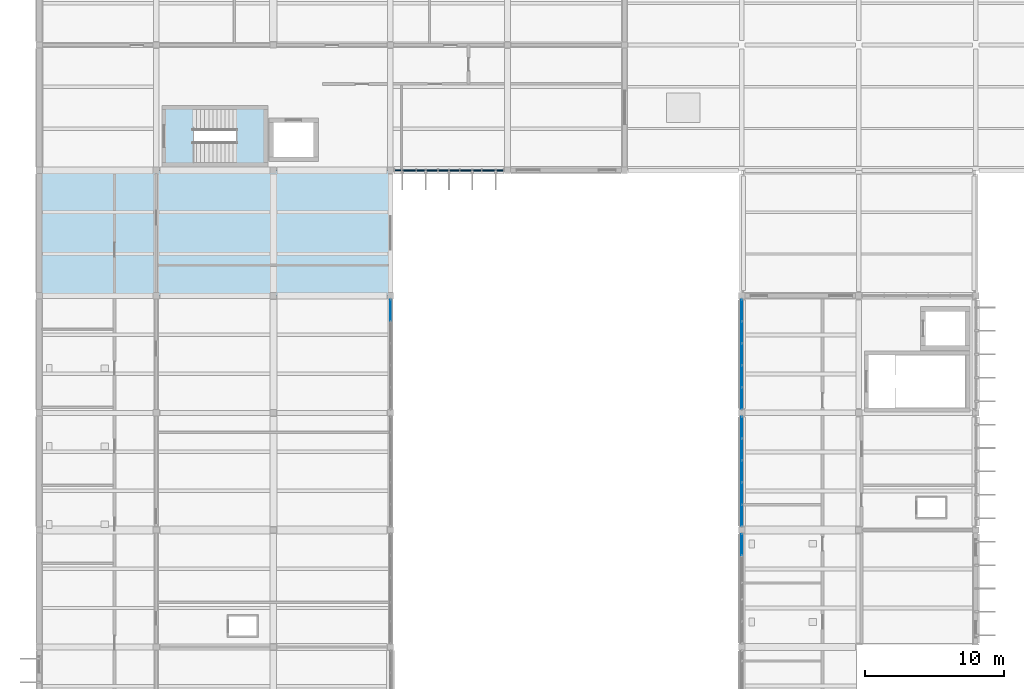
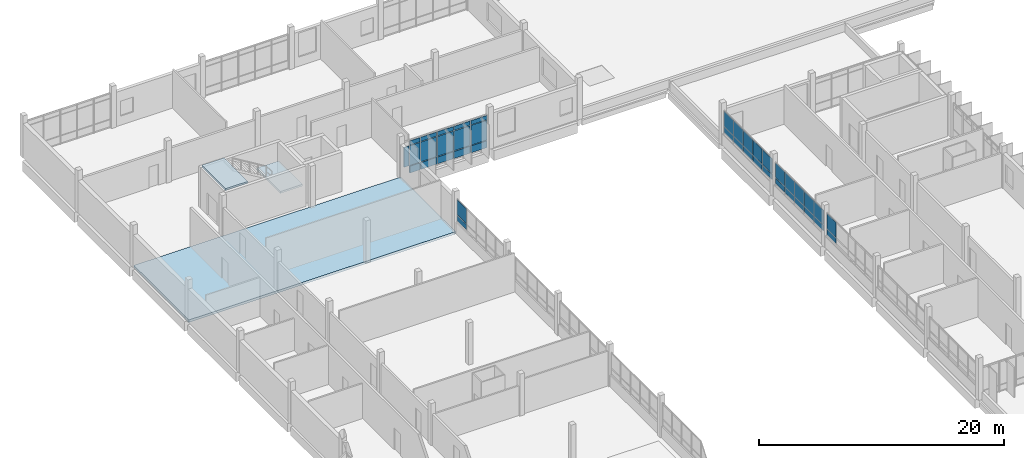
# One storey, part 46 of 62: 40 plates, 3 slabs, 6 elements without a shape of their own.
"""IFC4 building model written with IfcOpenShell, lengths in metres."""

from ifc_helpers import new_model, si_unit, direction, frame, origin, origin_2d, place, context, subcontext, project, spatial, polyline, rectangle, outline, extrude, material, layer, layer_set, type_object, element, aggregate, save


model = new_model("IFC4")

# Units and contexts
model_context = context("Model", 3, precision=1e-05, world=origin(), true_north=direction((0.0, 1.0)))
body_context = subcontext(model_context, "Body", "Model", "MODEL_VIEW")
ifc_project = project(units=[si_unit("LENGTHUNIT", "METRE"), si_unit("AREAUNIT", "SQUARE_METRE"), si_unit("VOLUMEUNIT", "CUBIC_METRE"), si_unit("PLANEANGLEUNIT", "RADIAN"), si_unit("MASSUNIT", "GRAM", prefix="KILO")], contexts=[model_context])

# Site, building, storey
site_placement = place(None, origin())
site = spatial("IfcSite", under=ifc_project, at=site_placement, CompositionType="ELEMENT")
building_placement = place(site_placement, origin())
building = spatial("IfcBuilding", under=site, at=building_placement, Name="Vireocrest Preparatory School", CompositionType="ELEMENT")
storey_placement = place(building_placement, frame((0.0, 0.0, 17.39990234375)))
storey = spatial("IfcBuildingStorey", under=building, at=storey_placement, Name="L04", CompositionType="ELEMENT", Elevation=17.39990234375)

# Curtain wall, plates
ifc_material_1 = material(Name="Thermally broken aluminium EN AW-6063-T6", Category="aluminium")
ifc_layer_1 = layer(ifc_material_1, 0.179931640625)
ifc_layer_set_1 = layer_set([ifc_layer_1], Name="Thermally broken aluminium EN AW-6063-T6")
curtain_wall_type_1 = type_object("IfcCurtainWallType", Name="Side Facade Curtain Wall 9000x4200", PredefinedType="USERDEFINED", material=ifc_layer_set_1)
curtain_wall_1_placement = place(storey_placement, origin())
curtain_wall_1 = element("IfcCurtainWall", 1, at=curtain_wall_1_placement, inside=storey, type_object=curtain_wall_type_1, Name="Curtain Wall CW07 CW_L04_CW07_0674_0948_174", ObjectType="CURTAIN WALL", PredefinedType="USERDEFINED")
ifc_material_2 = material(Name="Insulated triple low-e tempered safety glass", Category="glass")
ifc_layer_2 = layer(ifc_material_2, 0.074951171875)
ifc_layer_set_2 = layer_set([ifc_layer_2], Name="Insulated triple low-e tempered safety glass")
plate_type_1 = type_object("IfcPlateType", Name="Acoustic Triple-Glazed Lab Curtain Panel 75", PredefinedType="CURTAIN_PANEL", material=ifc_layer_set_2)
plate_1_placement = place(storey_placement, frame((67.72998046875, 94.800048828125, 0.88232421875), z_axis=(0.0, 0.0, 1.0), x_axis=(1.0, 0.0, 0.0)))
plate_1 = element("IfcPlate", 2, at=plate_1_placement, type_object=plate_type_1, Name="CW Panel GL2 CW_L04_CW07_0674_0948_174-1-2", PredefinedType="CURTAIN_PANEL", context=body_context, shape_type="SweptSolid", body=[
    extrude(rectangle(XDim=0.47509765625, YDim=0.074951171875, at=origin_2d()), origin(), (0.0, 0.0, 1.0), 1.965087890625),
])
plate_2_placement = place(storey_placement, frame((68.51806640625, 94.800048828125, 0.88232421875), z_axis=(0.0, 0.0, 1.0), x_axis=(1.0, 0.0, 0.0)))
plate_2 = element("IfcPlate", 3, at=plate_2_placement, type_object=plate_type_1, Name="CW Panel GL2 CW_L04_CW07_0674_0948_174-2-2", PredefinedType="CURTAIN_PANEL", context=body_context, shape_type="SweptSolid", body=[
    extrude(rectangle(XDim=0.970947265625, YDim=0.074951171875, at=origin_2d()), origin(), (0.0, 0.0, 1.0), 1.965087890625),
])
plate_3_placement = place(storey_placement, frame((68.51806640625, 94.800048828125, 2.91259765625), z_axis=(0.0, 0.0, 1.0), x_axis=(1.0, 0.0, 0.0)))
plate_3 = element("IfcPlate", 4, at=plate_3_placement, type_object=plate_type_1, Name="CW Panel GL2 CW_L04_CW07_0674_0948_174-2-3", PredefinedType="CURTAIN_PANEL", context=body_context, shape_type="SweptSolid", body=[
    extrude(rectangle(XDim=0.970947265625, YDim=0.074951171875, at=origin_2d()), origin(), (0.0, 0.0, 1.0), 0.409912109375),
])
plate_4_placement = place(storey_placement, frame((69.823974609375, 94.800048828125, 0.88232421875), z_axis=(0.0, 0.0, 1.0), x_axis=(1.0, 0.0, 0.0)))
plate_4 = element("IfcPlate", 5, at=plate_4_placement, type_object=plate_type_1, Name="CW Panel GL2 CW_L04_CW07_0674_0948_174-3-2", PredefinedType="CURTAIN_PANEL", context=body_context, shape_type="SweptSolid", body=[
    extrude(rectangle(XDim=1.510986328125, YDim=0.074951171875, at=origin_2d()), origin(), (0.0, 0.0, 1.0), 1.965087890625),
])
plate_5_placement = place(storey_placement, frame((69.823974609375, 94.800048828125, 2.91259765625), z_axis=(0.0, 0.0, 1.0), x_axis=(1.0, 0.0, 0.0)))
plate_5 = element("IfcPlate", 6, at=plate_5_placement, type_object=plate_type_1, Name="CW Panel GL2 CW_L04_CW07_0674_0948_174-3-3", PredefinedType="CURTAIN_PANEL", context=body_context, shape_type="SweptSolid", body=[
    extrude(rectangle(XDim=1.510986328125, YDim=0.074951171875, at=origin_2d()), origin(), (0.0, 0.0, 1.0), 0.409912109375),
])
plate_6_placement = place(storey_placement, frame((71.39990234375, 94.800048828125, 0.88232421875), z_axis=(0.0, 0.0, 1.0), x_axis=(1.0, 0.0, 0.0)))
plate_6 = element("IfcPlate", 7, at=plate_6_placement, type_object=plate_type_1, Name="CW Panel GL2 CW_L04_CW07_0674_0948_174-4-2", PredefinedType="CURTAIN_PANEL", context=body_context, shape_type="SweptSolid", body=[
    extrude(rectangle(XDim=1.510986328125, YDim=0.074951171875, at=origin_2d()), origin(), (0.0, 0.0, 1.0), 1.965087890625),
])
plate_7_placement = place(storey_placement, frame((71.39990234375, 94.800048828125, 2.91259765625), z_axis=(0.0, 0.0, 1.0), x_axis=(1.0, 0.0, 0.0)))
plate_7 = element("IfcPlate", 8, at=plate_7_placement, type_object=plate_type_1, Name="CW Panel GL2 CW_L04_CW07_0674_0948_174-4-3", PredefinedType="CURTAIN_PANEL", context=body_context, shape_type="SweptSolid", body=[
    extrude(rectangle(XDim=1.510986328125, YDim=0.074951171875, at=origin_2d()), origin(), (0.0, 0.0, 1.0), 0.409912109375),
])
plate_8_placement = place(storey_placement, frame((72.97607421875, 94.800048828125, 0.88232421875), z_axis=(0.0, 0.0, 1.0), x_axis=(1.0, 0.0, 0.0)))
plate_8 = element("IfcPlate", 9, at=plate_8_placement, type_object=plate_type_1, Name="CW Panel GL2 CW_L04_CW07_0674_0948_174-5-2", PredefinedType="CURTAIN_PANEL", context=body_context, shape_type="SweptSolid", body=[
    extrude(rectangle(XDim=1.510986328125, YDim=0.074951171875, at=origin_2d()), origin(), (0.0, 0.0, 1.0), 1.965087890625),
])
plate_9_placement = place(storey_placement, frame((72.97607421875, 94.800048828125, 2.91259765625), z_axis=(0.0, 0.0, 1.0), x_axis=(1.0, 0.0, 0.0)))
plate_9 = element("IfcPlate", 10, at=plate_9_placement, type_object=plate_type_1, Name="CW Panel GL2 CW_L04_CW07_0674_0948_174-5-3", PredefinedType="CURTAIN_PANEL", context=body_context, shape_type="SweptSolid", body=[
    extrude(rectangle(XDim=1.510986328125, YDim=0.074951171875, at=origin_2d()), origin(), (0.0, 0.0, 1.0), 0.409912109375),
])
plate_10_placement = place(storey_placement, frame((74.552001953125, 94.800048828125, 0.88232421875), z_axis=(0.0, 0.0, 1.0), x_axis=(1.0, 0.0, 0.0)))
plate_10 = element("IfcPlate", 11, at=plate_10_placement, type_object=plate_type_1, Name="CW Panel GL2 CW_L04_CW07_0674_0948_174-6-2", PredefinedType="CURTAIN_PANEL", context=body_context, shape_type="SweptSolid", body=[
    extrude(rectangle(XDim=1.510986328125, YDim=0.074951171875, at=origin_2d()), origin(), (0.0, 0.0, 1.0), 1.965087890625),
])
plate_11_placement = place(storey_placement, frame((74.552001953125, 94.800048828125, 2.91259765625), z_axis=(0.0, 0.0, 1.0), x_axis=(1.0, 0.0, 0.0)))
plate_11 = element("IfcPlate", 12, at=plate_11_placement, type_object=plate_type_1, Name="CW Panel GL2 CW_L04_CW07_0674_0948_174-6-3", PredefinedType="CURTAIN_PANEL", context=body_context, shape_type="SweptSolid", body=[
    extrude(rectangle(XDim=1.510986328125, YDim=0.074951171875, at=origin_2d()), origin(), (0.0, 0.0, 1.0), 0.409912109375),
])

# Slab
ifc_material_3 = material(Name="Concrete 40 MPa", Category="concrete")
ifc_layer_3 = layer(ifc_material_3, 0.239990234375)
ifc_layer_set_3 = layer_set([ifc_layer_3], Name="Concrete 40 MPa")
slab_type_1 = type_object("IfcSlabType", Name="Classroom Suspended RC Floor Slab 240", PredefinedType="FLOOR", material=ifc_layer_set_3)
slab_1_placement = place(storey_placement, frame((0.0, 0.0, -0.239990234375)))
element("IfcSlab", 13, at=slab_1_placement, inside=storey, type_object=slab_type_1, Name="Slab L04_WEST_NORTH_LINK", PredefinedType="FLOOR", context=body_context, shape_type="SweptSolid", body=[
    extrude(outline(polyline([(42.0, 85.800048828125), (67.199951171875, 85.800048828125), (67.199951171875, 94.800048828125), (42.0, 94.800048828125), (42.0, 85.800048828125)])), origin(), (0.0, 0.0, 1.0), 0.239990234375),
])

# Plate
ifc_material_4 = material(Name="Painted white aluminium cladding EN AW-6063-T6", Category="aluminium")
ifc_layer_4 = layer(ifc_material_4, 0.114990234375)
ifc_layer_set_4 = layer_set([ifc_layer_4], Name="Painted white aluminium cladding EN AW-6063-T6")
plate_type_2 = type_object("IfcPlateType", Name="Insulated White Spandrel Curtain Panel 115", PredefinedType="CURTAIN_PANEL", material=ifc_layer_set_4)
plate_12_placement = place(storey_placement, frame((68.51806640625, 94.800048828125, 0.127685546875), z_axis=(0.0, 0.0, 1.0), x_axis=(1.0, 0.0, 0.0)))
plate_12 = element("IfcPlate", 14, at=plate_12_placement, type_object=plate_type_2, Name="CW Panel SP2 CW_L04_CW07_0674_0948_174-2-1", PredefinedType="CURTAIN_PANEL", context=body_context, shape_type="SweptSolid", body=[
    extrude(rectangle(XDim=0.970947265625, YDim=0.114990234375, at=origin_2d()), origin(), (0.0, 0.0, 1.0), 0.68994140625),
])

plate_13_placement = place(storey_placement, frame((69.823974609375, 94.800048828125, 0.127685546875), z_axis=(0.0, 0.0, 1.0), x_axis=(1.0, 0.0, 0.0)))
plate_13 = element("IfcPlate", 15, at=plate_13_placement, type_object=plate_type_2, Name="CW Panel SP2 CW_L04_CW07_0674_0948_174-3-1", PredefinedType="CURTAIN_PANEL", context=body_context, shape_type="SweptSolid", body=[
    extrude(rectangle(XDim=1.510986328125, YDim=0.114990234375, at=origin_2d()), origin(), (0.0, 0.0, 1.0), 0.68994140625),
])

plate_14_placement = place(storey_placement, frame((71.39990234375, 94.800048828125, 0.127685546875), z_axis=(0.0, 0.0, 1.0), x_axis=(1.0, 0.0, 0.0)))
plate_14 = element("IfcPlate", 16, at=plate_14_placement, type_object=plate_type_2, Name="CW Panel SP2 CW_L04_CW07_0674_0948_174-4-1", PredefinedType="CURTAIN_PANEL", context=body_context, shape_type="SweptSolid", body=[
    extrude(rectangle(XDim=1.510986328125, YDim=0.114990234375, at=origin_2d()), origin(), (0.0, 0.0, 1.0), 0.68994140625),
])

plate_15_placement = place(storey_placement, frame((72.97607421875, 94.800048828125, 0.127685546875), z_axis=(0.0, 0.0, 1.0), x_axis=(1.0, 0.0, 0.0)))
plate_15 = element("IfcPlate", 17, at=plate_15_placement, type_object=plate_type_2, Name="CW Panel SP2 CW_L04_CW07_0674_0948_174-5-1", PredefinedType="CURTAIN_PANEL", context=body_context, shape_type="SweptSolid", body=[
    extrude(rectangle(XDim=1.510986328125, YDim=0.114990234375, at=origin_2d()), origin(), (0.0, 0.0, 1.0), 0.68994140625),
])

plate_16_placement = place(storey_placement, frame((74.552001953125, 94.800048828125, 0.127685546875), z_axis=(0.0, 0.0, 1.0), x_axis=(1.0, 0.0, 0.0)))
plate_16 = element("IfcPlate", 18, at=plate_16_placement, type_object=plate_type_2, Name="CW Panel SP2 CW_L04_CW07_0674_0948_174-6-1", PredefinedType="CURTAIN_PANEL", context=body_context, shape_type="SweptSolid", body=[
    extrude(rectangle(XDim=1.510986328125, YDim=0.114990234375, at=origin_2d()), origin(), (0.0, 0.0, 1.0), 0.68994140625),
])

aggregate(curtain_wall_1, [plate_1, plate_12, plate_2, plate_3, plate_13, plate_4, plate_5, plate_14, plate_6, plate_7, plate_15, plate_8, plate_9, plate_16, plate_10, plate_11])

# Stair, slabs
stair_type = type_object("IfcStairType", Name="Two-Run Exit Stair 4200 Rise 1500 Wide", PredefinedType="HALF_TURN_STAIR", material=ifc_material_3)
stair_placement = place(storey_placement, origin())
stair = element("IfcStair", 19, at=stair_placement, inside=storey, type_object=stair_type, Name="Two-Run Stair ST3-L04", PredefinedType="HALF_TURN_STAIR")
ifc_layer_5 = layer(ifc_material_3, 0.179931640625)
ifc_layer_set_5 = layer_set([ifc_layer_5], Name="Concrete 40 MPa")
slab_type_2 = type_object("IfcSlabType", Name="Precast Concrete Stair Landing Slab 180", PredefinedType="LANDING", material=ifc_layer_set_5)
slab_2_placement = place(storey_placement, frame((0.0, 0.0, 1.920166015625)))
slab_2 = element("IfcSlab", 20, at=slab_2_placement, type_object=slab_type_2, Name="Stair Half-Landing ST3-L04", PredefinedType="LANDING", context=body_context, shape_type="SweptSolid", body=[
    extrude(outline(polyline([(56.135009765625, 95.31005859375), (58.2451171875, 95.31005859375), (58.2451171875, 99.18994140625), (56.135009765625, 99.18994140625), (56.135009765625, 95.31005859375)])), origin(), (0.0, 0.0, 1.0), 0.179931640625),
])
slab_3_placement = place(storey_placement, frame((0.0, 0.0, 4.02001953125)))
slab_3 = element("IfcSlab", 21, at=slab_3_placement, type_object=slab_type_2, Name="Stair Arrival Landing ST3-L04", PredefinedType="LANDING", context=body_context, shape_type="SweptSolid", body=[
    extrude(outline(polyline([(50.955078125, 95.31005859375), (53.06494140625, 95.31005859375), (53.06494140625, 99.18994140625), (50.955078125, 99.18994140625), (50.955078125, 95.31005859375)])), origin(), (0.0, 0.0, 1.0), 0.18017578125),
])
aggregate(stair, [slab_2, slab_3])

# Curtain wall, plates
ifc_layer_6 = layer(ifc_material_1, 0.179931640625)
ifc_layer_set_6 = layer_set([ifc_layer_6], Name="Thermally broken aluminium EN AW-6063-T6")
curtain_wall_type_2 = type_object("IfcCurtainWallType", Name="Court Banded Curtain Wall 8400x3000", PredefinedType="USERDEFINED", material=ifc_layer_set_6)
curtain_wall_2_placement = place(storey_placement, origin())
curtain_wall_2 = element("IfcCurtainWall", 22, at=curtain_wall_2_placement, inside=storey, type_object=curtain_wall_type_2, Name="Curtain Wall CW02 CW_L04_CW02_0672_0776_186", ObjectType="CURTAIN WALL", PredefinedType="USERDEFINED")
ifc_layer_7 = layer(ifc_material_2, 0.06005859375)
ifc_layer_set_7 = layer_set([ifc_layer_7], Name="Insulated triple low-e tempered safety glass")
plate_type_3 = type_object("IfcPlateType", Name="Triple-Glazed Vision Curtain Panel 60", PredefinedType="CURTAIN_PANEL", material=ifc_layer_set_7)
plate_17_placement = place(storey_placement, frame((67.199951171875, 84.751953125, 1.277587890625), z_axis=(0.0, 0.0, 1.0), x_axis=(0.0, 1.0, 0.0)))
plate_17 = element("IfcPlate", 23, at=plate_17_placement, type_object=plate_type_3, Name="CW Panel GL1 CW_L04_CW02_0672_0776_186-5-1", PredefinedType="CURTAIN_PANEL", context=body_context, shape_type="SweptSolid", body=[
    extrude(rectangle(XDim=1.510986328125, YDim=0.06005859375, at=origin_2d()), origin(), (0.0, 0.0, 1.0), 0.5400390625),
])
plate_18_placement = place(storey_placement, frame((67.199951171875, 84.751953125, 1.8828125), z_axis=(0.0, 0.0, 1.0), x_axis=(0.0, 1.0, 0.0)))
plate_18 = element("IfcPlate", 24, at=plate_18_placement, type_object=plate_type_3, Name="CW Panel GL1 CW_L04_CW02_0672_0776_186-5-2", PredefinedType="CURTAIN_PANEL", context=body_context, shape_type="SweptSolid", body=[
    extrude(rectangle(XDim=1.510986328125, YDim=0.06005859375, at=origin_2d()), origin(), (0.0, 0.0, 1.0), 1.489990234375),
])
aggregate(curtain_wall_2, [plate_17, plate_18])

curtain_wall_3_placement = place(storey_placement, origin())
curtain_wall_3 = element("IfcCurtainWall", 25, at=curtain_wall_3_placement, inside=storey, type_object=curtain_wall_type_2, Name="Curtain Wall CW02 CW_L04_CW02_0924_0608_186", ObjectType="CURTAIN WALL", PredefinedType="USERDEFINED")
plate_19_placement = place(storey_placement, frame((92.39990234375, 67.951904296875, 1.277587890625), z_axis=(0.0, 0.0, 1.0), x_axis=(0.0, 1.0, 0.0)))
plate_19 = element("IfcPlate", 26, at=plate_19_placement, type_object=plate_type_3, Name="CW Panel GL1 CW_L04_CW02_0924_0608_186-5-1", PredefinedType="CURTAIN_PANEL", context=body_context, shape_type="SweptSolid", body=[
    extrude(rectangle(XDim=1.510986328125, YDim=0.06005859375, at=origin_2d()), origin(), (0.0, 0.0, 1.0), 0.5400390625),
])
plate_20_placement = place(storey_placement, frame((92.39990234375, 67.951904296875, 1.8828125), z_axis=(0.0, 0.0, 1.0), x_axis=(0.0, 1.0, 0.0)))
plate_20 = element("IfcPlate", 27, at=plate_20_placement, type_object=plate_type_3, Name="CW Panel GL1 CW_L04_CW02_0924_0608_186-5-2", PredefinedType="CURTAIN_PANEL", context=body_context, shape_type="SweptSolid", body=[
    extrude(rectangle(XDim=1.510986328125, YDim=0.06005859375, at=origin_2d()), origin(), (0.0, 0.0, 1.0), 1.489990234375),
])
aggregate(curtain_wall_3, [plate_19, plate_20])

curtain_wall_4_placement = place(storey_placement, origin())
curtain_wall_4 = element("IfcCurtainWall", 28, at=curtain_wall_4_placement, inside=storey, type_object=curtain_wall_type_2, Name="Curtain Wall CW02 CW_L04_CW02_0924_0692_186", ObjectType="CURTAIN WALL", PredefinedType="USERDEFINED")
plate_21_placement = place(storey_placement, frame((92.39990234375, 70.030029296875, 1.277587890625), z_axis=(0.0, 0.0, 1.0), x_axis=(0.0, 1.0, 0.0)))
plate_21 = element("IfcPlate", 29, at=plate_21_placement, type_object=plate_type_3, Name="CW Panel GL1 CW_L04_CW02_0924_0692_186-1-1", PredefinedType="CURTAIN_PANEL", context=body_context, shape_type="SweptSolid", body=[
    extrude(rectangle(XDim=1.47509765625, YDim=0.06005859375, at=origin_2d()), origin(), (0.0, 0.0, 1.0), 0.5400390625),
])
plate_22_placement = place(storey_placement, frame((92.39990234375, 70.030029296875, 1.882568359375), z_axis=(0.0, 0.0, 1.0), x_axis=(0.0, 1.0, 0.0)))
plate_22 = element("IfcPlate", 30, at=plate_22_placement, type_object=plate_type_3, Name="CW Panel GL1 CW_L04_CW02_0924_0692_186-1-2", PredefinedType="CURTAIN_PANEL", context=body_context, shape_type="SweptSolid", body=[
    extrude(rectangle(XDim=1.47509765625, YDim=0.06005859375, at=origin_2d()), origin(), (0.0, 0.0, 1.0), 1.43994140625),
])
plate_23_placement = place(storey_placement, frame((92.39990234375, 71.60595703125, 1.277587890625), z_axis=(0.0, 0.0, 1.0), x_axis=(0.0, 1.0, 0.0)))
plate_23 = element("IfcPlate", 31, at=plate_23_placement, type_object=plate_type_3, Name="CW Panel GL1 CW_L04_CW02_0924_0692_186-2-1", PredefinedType="CURTAIN_PANEL", context=body_context, shape_type="SweptSolid", body=[
    extrude(rectangle(XDim=1.547119140625, YDim=0.06005859375, at=origin_2d()), origin(), (0.0, 0.0, 1.0), 0.5400390625),
])
plate_24_placement = place(storey_placement, frame((92.39990234375, 71.60595703125, 1.882568359375), z_axis=(0.0, 0.0, 1.0), x_axis=(0.0, 1.0, 0.0)))
plate_24 = element("IfcPlate", 32, at=plate_24_placement, type_object=plate_type_3, Name="CW Panel GL1 CW_L04_CW02_0924_0692_186-2-2", PredefinedType="CURTAIN_PANEL", context=body_context, shape_type="SweptSolid", body=[
    extrude(rectangle(XDim=1.547119140625, YDim=0.06005859375, at=origin_2d()), origin(), (0.0, 0.0, 1.0), 1.43994140625),
])
plate_25_placement = place(storey_placement, frame((92.39990234375, 73.199951171875, 1.277587890625), z_axis=(0.0, 0.0, 1.0), x_axis=(0.0, 1.0, 0.0)))
plate_25 = element("IfcPlate", 33, at=plate_25_placement, type_object=plate_type_3, Name="CW Panel GL1 CW_L04_CW02_0924_0692_186-3-1", PredefinedType="CURTAIN_PANEL", context=body_context, shape_type="SweptSolid", body=[
    extrude(rectangle(XDim=1.510986328125, YDim=0.06005859375, at=origin_2d()), origin(), (0.0, 0.0, 1.0), 0.5400390625),
])
plate_26_placement = place(storey_placement, frame((92.39990234375, 73.199951171875, 1.882568359375), z_axis=(0.0, 0.0, 1.0), x_axis=(0.0, 1.0, 0.0)))
plate_26 = element("IfcPlate", 34, at=plate_26_placement, type_object=plate_type_3, Name="CW Panel GL1 CW_L04_CW02_0924_0692_186-3-2", PredefinedType="CURTAIN_PANEL", context=body_context, shape_type="SweptSolid", body=[
    extrude(rectangle(XDim=1.510986328125, YDim=0.06005859375, at=origin_2d()), origin(), (0.0, 0.0, 1.0), 1.43994140625),
])
plate_27_placement = place(storey_placement, frame((92.39990234375, 74.77587890625, 1.277587890625), z_axis=(0.0, 0.0, 1.0), x_axis=(0.0, 1.0, 0.0)))
plate_27 = element("IfcPlate", 35, at=plate_27_placement, type_object=plate_type_3, Name="CW Panel GL1 CW_L04_CW02_0924_0692_186-4-1", PredefinedType="CURTAIN_PANEL", context=body_context, shape_type="SweptSolid", body=[
    extrude(rectangle(XDim=1.510986328125, YDim=0.06005859375, at=origin_2d()), origin(), (0.0, 0.0, 1.0), 0.5400390625),
])
plate_28_placement = place(storey_placement, frame((92.39990234375, 74.77587890625, 1.882568359375), z_axis=(0.0, 0.0, 1.0), x_axis=(0.0, 1.0, 0.0)))
plate_28 = element("IfcPlate", 36, at=plate_28_placement, type_object=plate_type_3, Name="CW Panel GL1 CW_L04_CW02_0924_0692_186-4-2", PredefinedType="CURTAIN_PANEL", context=body_context, shape_type="SweptSolid", body=[
    extrude(rectangle(XDim=1.510986328125, YDim=0.06005859375, at=origin_2d()), origin(), (0.0, 0.0, 1.0), 1.43994140625),
])
plate_29_placement = place(storey_placement, frame((92.39990234375, 76.35205078125, 1.277587890625), z_axis=(0.0, 0.0, 1.0), x_axis=(0.0, 1.0, 0.0)))
plate_29 = element("IfcPlate", 37, at=plate_29_placement, type_object=plate_type_3, Name="CW Panel GL1 CW_L04_CW02_0924_0692_186-5-1", PredefinedType="CURTAIN_PANEL", context=body_context, shape_type="SweptSolid", body=[
    extrude(rectangle(XDim=1.510986328125, YDim=0.06005859375, at=origin_2d()), origin(), (0.0, 0.0, 1.0), 0.5400390625),
])
plate_30_placement = place(storey_placement, frame((92.39990234375, 76.35205078125, 1.882568359375), z_axis=(0.0, 0.0, 1.0), x_axis=(0.0, 1.0, 0.0)))
plate_30 = element("IfcPlate", 38, at=plate_30_placement, type_object=plate_type_3, Name="CW Panel GL1 CW_L04_CW02_0924_0692_186-5-2", PredefinedType="CURTAIN_PANEL", context=body_context, shape_type="SweptSolid", body=[
    extrude(rectangle(XDim=1.510986328125, YDim=0.06005859375, at=origin_2d()), origin(), (0.0, 0.0, 1.0), 1.43994140625),
])
aggregate(curtain_wall_4, [plate_21, plate_22, plate_23, plate_24, plate_25, plate_26, plate_27, plate_28, plate_29, plate_30])

curtain_wall_5_placement = place(storey_placement, origin())
curtain_wall_5 = element("IfcCurtainWall", 39, at=curtain_wall_5_placement, inside=storey, type_object=curtain_wall_type_2, Name="Curtain Wall CW02 CW_L04_CW02_0924_0776_186", ObjectType="CURTAIN WALL", PredefinedType="USERDEFINED")
plate_31_placement = place(storey_placement, frame((92.39990234375, 78.447998046875, 1.277587890625), z_axis=(0.0, 0.0, 1.0), x_axis=(0.0, 1.0, 0.0)))
plate_31 = element("IfcPlate", 40, at=plate_31_placement, type_object=plate_type_3, Name="CW Panel GL1 CW_L04_CW02_0924_0776_186-1-1", PredefinedType="CURTAIN_PANEL", context=body_context, shape_type="SweptSolid", body=[
    extrude(rectangle(XDim=1.510986328125, YDim=0.06005859375, at=origin_2d()), origin(), (0.0, 0.0, 1.0), 0.5400390625),
])
plate_32_placement = place(storey_placement, frame((92.39990234375, 78.447998046875, 1.8828125), z_axis=(0.0, 0.0, 1.0), x_axis=(0.0, 1.0, 0.0)))
plate_32 = element("IfcPlate", 41, at=plate_32_placement, type_object=plate_type_3, Name="CW Panel GL1 CW_L04_CW02_0924_0776_186-1-2", PredefinedType="CURTAIN_PANEL", context=body_context, shape_type="SweptSolid", body=[
    extrude(rectangle(XDim=1.510986328125, YDim=0.06005859375, at=origin_2d()), origin(), (0.0, 0.0, 1.0), 1.489990234375),
])
plate_33_placement = place(storey_placement, frame((92.39990234375, 80.02392578125, 1.277587890625), z_axis=(0.0, 0.0, 1.0), x_axis=(0.0, 1.0, 0.0)))
plate_33 = element("IfcPlate", 42, at=plate_33_placement, type_object=plate_type_3, Name="CW Panel GL1 CW_L04_CW02_0924_0776_186-2-1", PredefinedType="CURTAIN_PANEL", context=body_context, shape_type="SweptSolid", body=[
    extrude(rectangle(XDim=1.510986328125, YDim=0.06005859375, at=origin_2d()), origin(), (0.0, 0.0, 1.0), 0.5400390625),
])
plate_34_placement = place(storey_placement, frame((92.39990234375, 80.02392578125, 1.8828125), z_axis=(0.0, 0.0, 1.0), x_axis=(0.0, 1.0, 0.0)))
plate_34 = element("IfcPlate", 43, at=plate_34_placement, type_object=plate_type_3, Name="CW Panel GL1 CW_L04_CW02_0924_0776_186-2-2", PredefinedType="CURTAIN_PANEL", context=body_context, shape_type="SweptSolid", body=[
    extrude(rectangle(XDim=1.510986328125, YDim=0.06005859375, at=origin_2d()), origin(), (0.0, 0.0, 1.0), 1.489990234375),
])
plate_35_placement = place(storey_placement, frame((92.39990234375, 81.60009765625, 1.277587890625), z_axis=(0.0, 0.0, 1.0), x_axis=(0.0, 1.0, 0.0)))
plate_35 = element("IfcPlate", 44, at=plate_35_placement, type_object=plate_type_3, Name="CW Panel GL1 CW_L04_CW02_0924_0776_186-3-1", PredefinedType="CURTAIN_PANEL", context=body_context, shape_type="SweptSolid", body=[
    extrude(rectangle(XDim=1.510986328125, YDim=0.06005859375, at=origin_2d()), origin(), (0.0, 0.0, 1.0), 0.5400390625),
])
plate_36_placement = place(storey_placement, frame((92.39990234375, 81.60009765625, 1.8828125), z_axis=(0.0, 0.0, 1.0), x_axis=(0.0, 1.0, 0.0)))
plate_36 = element("IfcPlate", 45, at=plate_36_placement, type_object=plate_type_3, Name="CW Panel GL1 CW_L04_CW02_0924_0776_186-3-2", PredefinedType="CURTAIN_PANEL", context=body_context, shape_type="SweptSolid", body=[
    extrude(rectangle(XDim=1.510986328125, YDim=0.06005859375, at=origin_2d()), origin(), (0.0, 0.0, 1.0), 1.489990234375),
])
plate_37_placement = place(storey_placement, frame((92.39990234375, 83.176025390625, 1.277587890625), z_axis=(0.0, 0.0, 1.0), x_axis=(0.0, 1.0, 0.0)))
plate_37 = element("IfcPlate", 46, at=plate_37_placement, type_object=plate_type_3, Name="CW Panel GL1 CW_L04_CW02_0924_0776_186-4-1", PredefinedType="CURTAIN_PANEL", context=body_context, shape_type="SweptSolid", body=[
    extrude(rectangle(XDim=1.510986328125, YDim=0.06005859375, at=origin_2d()), origin(), (0.0, 0.0, 1.0), 0.5400390625),
])
plate_38_placement = place(storey_placement, frame((92.39990234375, 83.176025390625, 1.8828125), z_axis=(0.0, 0.0, 1.0), x_axis=(0.0, 1.0, 0.0)))
plate_38 = element("IfcPlate", 47, at=plate_38_placement, type_object=plate_type_3, Name="CW Panel GL1 CW_L04_CW02_0924_0776_186-4-2", PredefinedType="CURTAIN_PANEL", context=body_context, shape_type="SweptSolid", body=[
    extrude(rectangle(XDim=1.510986328125, YDim=0.06005859375, at=origin_2d()), origin(), (0.0, 0.0, 1.0), 1.489990234375),
])
plate_39_placement = place(storey_placement, frame((92.39990234375, 84.751953125, 1.277587890625), z_axis=(0.0, 0.0, 1.0), x_axis=(0.0, 1.0, 0.0)))
plate_39 = element("IfcPlate", 48, at=plate_39_placement, type_object=plate_type_3, Name="CW Panel GL1 CW_L04_CW02_0924_0776_186-5-1", PredefinedType="CURTAIN_PANEL", context=body_context, shape_type="SweptSolid", body=[
    extrude(rectangle(XDim=1.510986328125, YDim=0.06005859375, at=origin_2d()), origin(), (0.0, 0.0, 1.0), 0.5400390625),
])
plate_40_placement = place(storey_placement, frame((92.39990234375, 84.751953125, 1.8828125), z_axis=(0.0, 0.0, 1.0), x_axis=(0.0, 1.0, 0.0)))
plate_40 = element("IfcPlate", 49, at=plate_40_placement, type_object=plate_type_3, Name="CW Panel GL1 CW_L04_CW02_0924_0776_186-5-2", PredefinedType="CURTAIN_PANEL", context=body_context, shape_type="SweptSolid", body=[
    extrude(rectangle(XDim=1.510986328125, YDim=0.06005859375, at=origin_2d()), origin(), (0.0, 0.0, 1.0), 1.489990234375),
])
aggregate(curtain_wall_5, [plate_31, plate_32, plate_33, plate_34, plate_35, plate_36, plate_37, plate_38, plate_39, plate_40])

save(model, "model.ifc")
